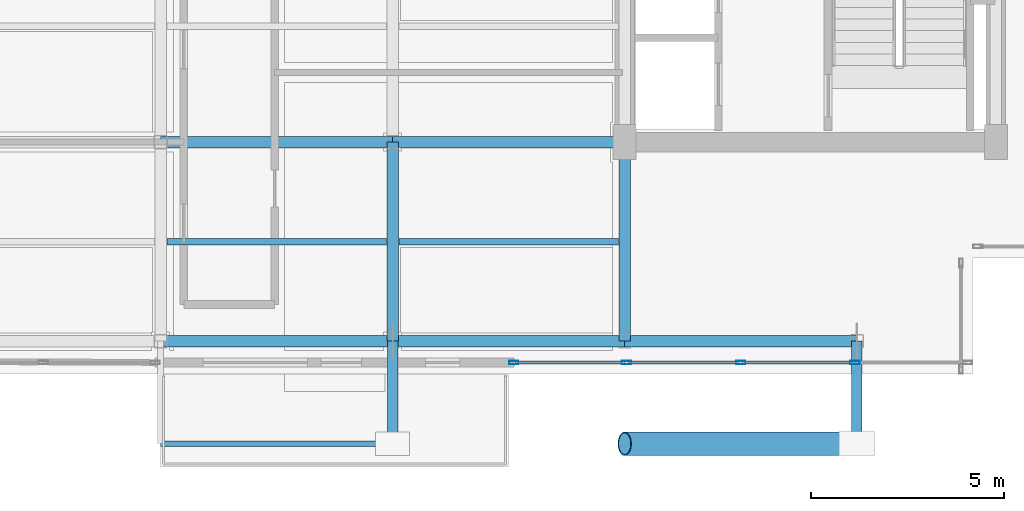
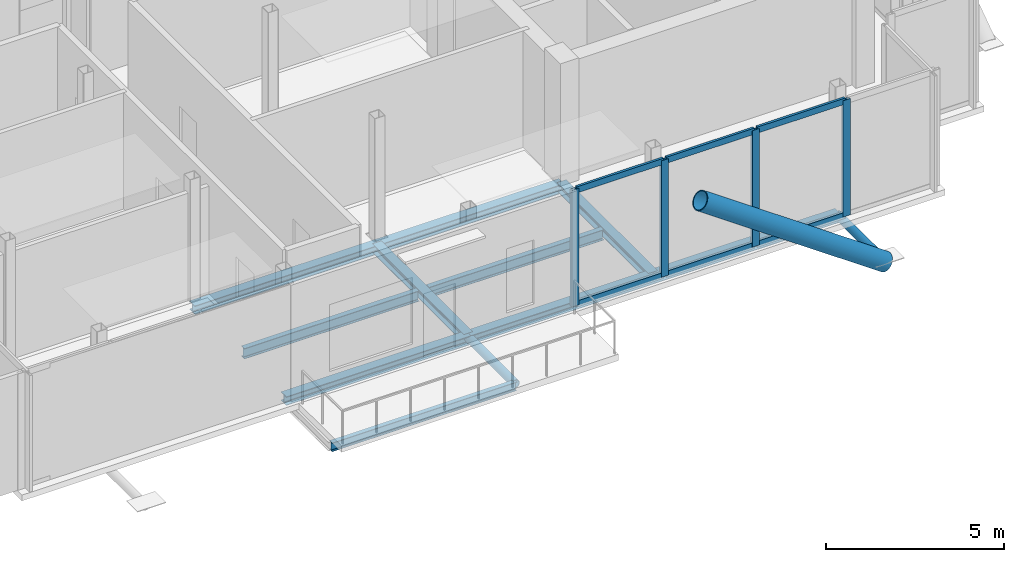
# One storey, part 3 of 16: 13 members, 10 beams, 1 element without a shape of its own.
"""IFC4 building model written with IfcOpenShell, lengths in metres."""

from ifc_helpers import new_model, si_unit, direction, frame, origin, origin_2d, place, context, subcontext, project, spatial, hollow_rectangle, hollow_circle, i_section, extrude, material, layer, layer_set, material_profile, profile_set, type_object, element, aggregate, save


model = new_model("IFC4")

# Units and contexts
model_context = context("Model", 3, precision=1e-05, world=origin(), true_north=direction((0.0, 1.0)))
body_context = subcontext(model_context, "Body", "Model", "MODEL_VIEW")
ifc_project = project(units=[si_unit("LENGTHUNIT", "METRE"), si_unit("AREAUNIT", "SQUARE_METRE"), si_unit("VOLUMEUNIT", "CUBIC_METRE"), si_unit("PLANEANGLEUNIT", "RADIAN"), si_unit("MASSUNIT", "GRAM", prefix="KILO"), si_unit("THERMODYNAMICTEMPERATUREUNIT", "KELVIN"), si_unit("POWERUNIT", "WATT")], contexts=[model_context])

# Site, building, storey
site_placement = place(None, origin())
site = spatial("IfcSite", under=ifc_project, at=site_placement, CompositionType="ELEMENT")
building_placement = place(site_placement, origin())
building = spatial("IfcBuilding", under=site, at=building_placement, Name="Svarakhadi Broadcast Tower", CompositionType="ELEMENT")
storey_placement = place(building_placement, frame((0.0, 0.0, 292.199951171875)))
storey = spatial("IfcBuildingStorey", under=building, at=storey_placement, Name="L74", CompositionType="ELEMENT", Elevation=292.199951171875)

# Beams
ifc_material_1 = material(Name="Steel S355J2 (IS 2062 E350C)", Category="steel")
ifc_material_profile_1 = material_profile(ifc_material_1, i_section(OverallWidth=0.169921875, OverallDepth=0.360107421875, WebThickness=0.008056640625, FlangeThickness=0.0126953125, FilletRadius=0.01806640625, at=origin_2d()), Name="NPB 360x170x57")
ifc_profile_set_1 = profile_set([ifc_material_profile_1], Name="Steel S355J2 (IS 2062 E350C)")
beam_type_1 = type_object("IfcBeamType", Name="Beam_NPB360", PredefinedType="BEAM", material=ifc_profile_set_1)
for number, where, z_axis, x_axis, name in (
    (1, (12.159912109375, 3.425048828125, -0.3798828125), (1.0, 0.0, 0.0), (0.0, 1.0, 0.0), "L74 Secondary Composite Beam SB007"),
    (2, (18.159912109375, 3.425048828125, -0.3798828125), (1.0, 0.0, 0.0), (0.0, 1.0, 0.0), "L74 Secondary Composite Beam SB010"),
):
    element("IfcBeam", number, at=place(storey_placement, frame(where, z_axis=z_axis, x_axis=x_axis)), inside=storey, type_object=beam_type_1, Name=name, PredefinedType="BEAM", context=body_context, shape_type="SweptSolid", body=[
        extrude(i_section(OverallWidth=0.169921875, OverallDepth=0.360107421875, WebThickness=0.008056640625, FlangeThickness=0.0126953125, FilletRadius=0.01806640625, at=origin_2d()), origin(), (0.0, 0.0, 1.0), 5.68017578125),
    ])

# Curtain wall, members
ifc_material_2 = material(Name="Anodised Bronze Aluminium AA 6063-T6", Category="aluminium")
ifc_layer = layer(ifc_material_2, 0.239990234375)
ifc_layer_set = layer_set([ifc_layer], Name="Anodised Bronze Aluminium AA 6063-T6")
curtain_wall_type = type_object("IfcCurtainWallType", Name="CW_Sys_06", PredefinedType="NOTDEFINED", material=ifc_layer_set)
curtain_wall_placement = place(storey_placement, origin())
curtain_wall = element("IfcCurtainWall", 3, at=curtain_wall_placement, inside=storey, type_object=curtain_wall_type, Name="L74 South Curtain Wall 16", PredefinedType="NOTDEFINED")
ifc_material_profile_2 = material_profile(ifc_material_2, hollow_rectangle(XDim=0.090087890625, YDim=0.239990234375, WallThickness=0.006103515625, at=origin_2d()), Name="ALU MULLION 240x90x6")
ifc_profile_set_2 = profile_set([ifc_material_profile_2], Name="Anodised Bronze Aluminium AA 6063-T6")
member_type_1 = type_object("IfcMemberType", Name="CW_Sys_06_Mul", PredefinedType="MULLION", material=ifc_profile_set_2)
member_1_placement = place(storey_placement, frame((29.955078125, 0.300048828125, 0.0), z_axis=(0.0, 0.0, 1.0), x_axis=(0.0, -1.0, 0.0)))
member_1 = element("IfcMember", 4, at=member_1_placement, type_object=member_type_1, Name="CW-06 mullion 2", PredefinedType="MULLION", context=body_context, shape_type="SweptSolid", body=[
    extrude(hollow_rectangle(XDim=0.090087890625, YDim=0.239990234375, WallThickness=0.006103515625, at=origin_2d()), origin(), (0.0, 0.0, 1.0), 4.0),
])
member_2_placement = place(storey_placement, frame((27.0, 0.300048828125, 0.0), z_axis=(0.0, 0.0, 1.0), x_axis=(0.0, -1.0, 0.0)))
member_2 = element("IfcMember", 5, at=member_2_placement, type_object=member_type_1, Name="CW-06 mullion 3", PredefinedType="MULLION", context=body_context, shape_type="SweptSolid", body=[
    extrude(hollow_rectangle(XDim=0.090087890625, YDim=0.239990234375, WallThickness=0.006103515625, at=origin_2d()), origin(), (0.0, 0.0, 1.0), 4.0),
])
member_3_placement = place(storey_placement, frame((24.044921875, 0.300048828125, 0.0), z_axis=(0.0, 0.0, 1.0), x_axis=(0.0, -1.0, 0.0)))
member_3 = element("IfcMember", 6, at=member_3_placement, type_object=member_type_1, Name="CW-06 mullion 4", PredefinedType="MULLION", context=body_context, shape_type="SweptSolid", body=[
    extrude(hollow_rectangle(XDim=0.090087890625, YDim=0.239990234375, WallThickness=0.006103515625, at=origin_2d()), origin(), (0.0, 0.0, 1.0), 4.0),
])
member_4_placement = place(storey_placement, frame((21.135009765625, 0.300048828125, 0.0), z_axis=(0.0, 0.0, 1.0), x_axis=(0.0, -1.0, 0.0)))
member_4 = element("IfcMember", 7, at=member_4_placement, type_object=member_type_1, Name="CW-06 mullion 5", PredefinedType="MULLION", context=body_context, shape_type="SweptSolid", body=[
    extrude(hollow_rectangle(XDim=0.090087890625, YDim=0.239990234375, WallThickness=0.006103515625, at=origin_2d()), origin(), (0.0, 0.0, 1.0), 4.0),
])
ifc_material_profile_3 = material_profile(ifc_material_2, hollow_rectangle(XDim=0.080078125, YDim=0.2099609375, WallThickness=0.0048828125, at=origin_2d()), Name="ALU TRANSOM 210x80x5")
ifc_profile_set_3 = profile_set([ifc_material_profile_3], Name="Anodised Bronze Aluminium AA 6063-T6")
member_type_2 = type_object("IfcMemberType", Name="CW_Sys_06_Trn", PredefinedType="USERDEFINED", material=ifc_profile_set_3)
member_5_placement = place(storey_placement, frame((29.909912109375, 0.300048828125, 0.0400390625), z_axis=(-1.0, 0.0, 0.0), x_axis=(0.0, -1.0, 0.0)))
member_5 = element("IfcMember", 8, at=member_5_placement, type_object=member_type_2, Name="CW-06 transom 2.1", ObjectType="TRANSOM", PredefinedType="USERDEFINED", context=body_context, shape_type="SweptSolid", body=[
    extrude(hollow_rectangle(XDim=0.080078125, YDim=0.2099609375, WallThickness=0.0048828125, at=origin_2d()), origin(), (0.0, 0.0, 1.0), 2.864990234375),
])
member_6_placement = place(storey_placement, frame((29.909912109375, 0.300048828125, 3.9599609375), z_axis=(-1.0, 0.0, 0.0), x_axis=(0.0, -1.0, 0.0)))
member_6 = element("IfcMember", 9, at=member_6_placement, type_object=member_type_2, Name="CW-06 transom 2.2", ObjectType="TRANSOM", PredefinedType="USERDEFINED", context=body_context, shape_type="SweptSolid", body=[
    extrude(hollow_rectangle(XDim=0.080078125, YDim=0.2099609375, WallThickness=0.0048828125, at=origin_2d()), origin(), (0.0, 0.0, 1.0), 2.864990234375),
])
member_7_placement = place(storey_placement, frame((26.955078125, 0.300048828125, 0.0400390625), z_axis=(-1.0, 0.0, 0.0), x_axis=(0.0, -1.0, 0.0)))
member_7 = element("IfcMember", 10, at=member_7_placement, type_object=member_type_2, Name="CW-06 transom 3.1", ObjectType="TRANSOM", PredefinedType="USERDEFINED", context=body_context, shape_type="SweptSolid", body=[
    extrude(hollow_rectangle(XDim=0.080078125, YDim=0.2099609375, WallThickness=0.0048828125, at=origin_2d()), origin(), (0.0, 0.0, 1.0), 2.864990234375),
])
member_8_placement = place(storey_placement, frame((26.955078125, 0.300048828125, 3.9599609375), z_axis=(-1.0, 0.0, 0.0), x_axis=(0.0, -1.0, 0.0)))
member_8 = element("IfcMember", 11, at=member_8_placement, type_object=member_type_2, Name="CW-06 transom 3.2", ObjectType="TRANSOM", PredefinedType="USERDEFINED", context=body_context, shape_type="SweptSolid", body=[
    extrude(hollow_rectangle(XDim=0.080078125, YDim=0.2099609375, WallThickness=0.0048828125, at=origin_2d()), origin(), (0.0, 0.0, 1.0), 2.864990234375),
])
member_9_placement = place(storey_placement, frame((24.0, 0.300048828125, 0.0400390625), z_axis=(-1.0, 0.0, 0.0), x_axis=(0.0, -1.0, 0.0)))
member_9 = element("IfcMember", 12, at=member_9_placement, type_object=member_type_2, Name="CW-06 transom 4.1", ObjectType="TRANSOM", PredefinedType="USERDEFINED", context=body_context, shape_type="SweptSolid", body=[
    extrude(hollow_rectangle(XDim=0.080078125, YDim=0.2099609375, WallThickness=0.0048828125, at=origin_2d()), origin(), (0.0, 0.0, 1.0), 2.820068359375),
])
member_10_placement = place(storey_placement, frame((24.0, 0.300048828125, 3.9599609375), z_axis=(-1.0, 0.0, 0.0), x_axis=(0.0, -1.0, 0.0)))
member_10 = element("IfcMember", 13, at=member_10_placement, type_object=member_type_2, Name="CW-06 transom 4.2", ObjectType="TRANSOM", PredefinedType="USERDEFINED", context=body_context, shape_type="SweptSolid", body=[
    extrude(hollow_rectangle(XDim=0.080078125, YDim=0.2099609375, WallThickness=0.0048828125, at=origin_2d()), origin(), (0.0, 0.0, 1.0), 2.820068359375),
])
aggregate(curtain_wall, [member_1, member_2, member_3, member_4, member_5, member_6, member_7, member_8, member_9, member_10])

# Members
ifc_material_3 = material(Name="Steel S460ML (IS 2062 E450BR)", Category="steel")
ifc_material_profile_4 = material_profile(ifc_material_3, hollow_circle(Radius=0.304931640625, WallThickness=0.030029296875, at=origin_2d()), Name="CHS 610x30")
ifc_profile_set_4 = profile_set([ifc_material_profile_4], Name="Steel S460ML (IS 2062 E450BR)")
member_type_3 = type_object("IfcMemberType", Name="Exo_Brace_CHS610", PredefinedType="BRACE", material=ifc_profile_set_4)
member_11_placement = place(storey_placement, frame((30.0, -1.800048828125, -0.33642578125), z_axis=(-0.819235052632, 0.0, 0.57345786989), x_axis=(0.0, -1.0, 0.0)))
element("IfcMember", 14, at=member_11_placement, inside=storey, type_object=member_type_3, Name="L74 Exposed Bronze Exoskeleton Diagonal S01", PredefinedType="BRACE", context=body_context, shape_type="SweptSolid", body=[
    extrude(hollow_circle(Radius=0.304931640625, WallThickness=0.030029296875, at=origin_2d()), origin(), (0.0, 0.0, 1.0), 7.323974609375),
])
ifc_material_profile_5 = material_profile(ifc_material_3, hollow_circle(Radius=0.136474609375, WallThickness=0.012451171875, at=origin_2d()), Name="CHS 273x12.5")
ifc_profile_set_5 = profile_set([ifc_material_profile_5], Name="Steel S460ML (IS 2062 E450BR)")
member_type_4 = type_object("IfcMemberType", Name="Exo_Radial_Strut_Z3", PredefinedType="STRUT", material=ifc_profile_set_5)
for number, where, z_axis, x_axis, name in (
    (15, (18.0, -1.800048828125, -0.33642578125), (0.0, 1.0, 0.0), (-1.0, 0.0, 0.0), "L74 Exoskeleton Radial Tie Strut S02"),
    (16, (30.0, -1.800048828125, -0.33642578125), (0.0, 1.0, 0.0), (-1.0, 0.0, 0.0), "L74 Exoskeleton Radial Tie Strut S03"),
):
    element("IfcMember", number, at=place(storey_placement, frame(where, z_axis=z_axis, x_axis=x_axis)), inside=storey, type_object=member_type_4, Name=name, PredefinedType="STRUT", context=body_context, shape_type="SweptSolid", body=[
        extrude(hollow_circle(Radius=0.136474609375, WallThickness=0.012451171875, at=origin_2d()), origin(), (0.0, 0.0, 1.0), 2.650146484375),
    ])

# Beams
ifc_material_profile_6 = material_profile(ifc_material_1, i_section(OverallWidth=0.300048828125, OverallDepth=0.300048828125, WebThickness=0.010986328125, FlangeThickness=0.01904296875, FilletRadius=0.027099609375, at=origin_2d()), Name="WPB 300x300x117")
ifc_profile_set_6 = profile_set([ifc_material_profile_6], Name="Steel S355J2 (IS 2062 E350C)")
beam_type_2 = type_object("IfcBeamType", Name="Girder_WPB300", PredefinedType="USERDEFINED", material=ifc_profile_set_6)
for number, where, z_axis, x_axis, name in (
    (17, (12.0, 0.85009765625, -0.349853515625), (1.0, 0.0, 0.0), (0.0, 1.0, 0.0), "L74 Primary E-W Girder G005"),
    (18, (18.0, 0.85009765625, -0.349853515625), (1.0, 0.0, 0.0), (0.0, 1.0, 0.0), "L74 Primary E-W Girder G006"),
    (19, (24.0, 0.85009765625, -0.349853515625), (1.0, 0.0, 0.0), (0.0, 1.0, 0.0), "L74 Primary E-W Girder G007"),
    (20, (12.0, 6.0, -0.349853515625), (1.0, 0.0, 0.0), (0.0, 1.0, 0.0), "L74 Primary E-W Girder G010"),
    (21, (18.0, 6.0, -0.349853515625), (1.0, 0.0, 0.0), (0.0, 1.0, 0.0), "L74 Primary E-W Girder G011"),
):
    element("IfcBeam", number, at=place(storey_placement, frame(where, z_axis=z_axis, x_axis=x_axis)), inside=storey, type_object=beam_type_2, Name=name, ObjectType="GIRDER", PredefinedType="USERDEFINED", context=body_context, shape_type="SweptSolid", body=[
        extrude(i_section(OverallWidth=0.300048828125, OverallDepth=0.300048828125, WebThickness=0.010986328125, FlangeThickness=0.01904296875, FilletRadius=0.027099609375, at=origin_2d()), origin(), (0.0, 0.0, 1.0), 6.0),
    ])
for number, where, z_axis, x_axis, name in (
    (22, (18.0, 0.85009765625, -0.349853515625), (0.0, 1.0, 0.0), (-1.0, 0.0, 0.0), "L74 Primary N-S Girder G036"),
    (23, (24.0, 0.85009765625, -0.349853515625), (0.0, 1.0, 0.0), (-1.0, 0.0, 0.0), "L74 Primary N-S Girder G040"),
):
    element("IfcBeam", number, at=place(storey_placement, frame(where, z_axis=z_axis, x_axis=x_axis)), inside=storey, type_object=beam_type_2, Name=name, ObjectType="GIRDER", PredefinedType="USERDEFINED", context=body_context, shape_type="SweptSolid", body=[
        extrude(i_section(OverallWidth=0.300048828125, OverallDepth=0.300048828125, WebThickness=0.010986328125, FlangeThickness=0.01904296875, FilletRadius=0.027099609375, at=origin_2d()), origin(), (0.0, 0.0, 1.0), 5.14990234375),
    ])
ifc_material_profile_7 = material_profile(ifc_material_1, i_section(OverallWidth=0.14990234375, OverallDepth=0.300048828125, WebThickness=0.007080078125, FlangeThickness=0.0107421875, FilletRadius=0.014892578125, at=origin_2d()), Name="NPB 300x150x37")
ifc_profile_set_7 = profile_set([ifc_material_profile_7], Name="Steel S355J2 (IS 2062 E350C)")
beam_type_3 = type_object("IfcBeamType", Name="Spandrel_NPB300", PredefinedType="SPANDREL", material=ifc_profile_set_7)
beam_placement = place(storey_placement, frame((12.0, -1.800048828125, -0.375), z_axis=(1.0, 0.0, 0.0), x_axis=(0.0, 1.0, 0.0)))
element("IfcBeam", 24, at=beam_placement, inside=storey, type_object=beam_type_3, Name="L74 Balcony Outer Spandrel 1F", PredefinedType="SPANDREL", context=body_context, shape_type="SweptSolid", body=[
    extrude(i_section(OverallWidth=0.14990234375, OverallDepth=0.300048828125, WebThickness=0.007080078125, FlangeThickness=0.0107421875, FilletRadius=0.014892578125, at=origin_2d()), origin(), (0.0, 0.0, 1.0), 6.0),
])

save(model, "model.ifc")
